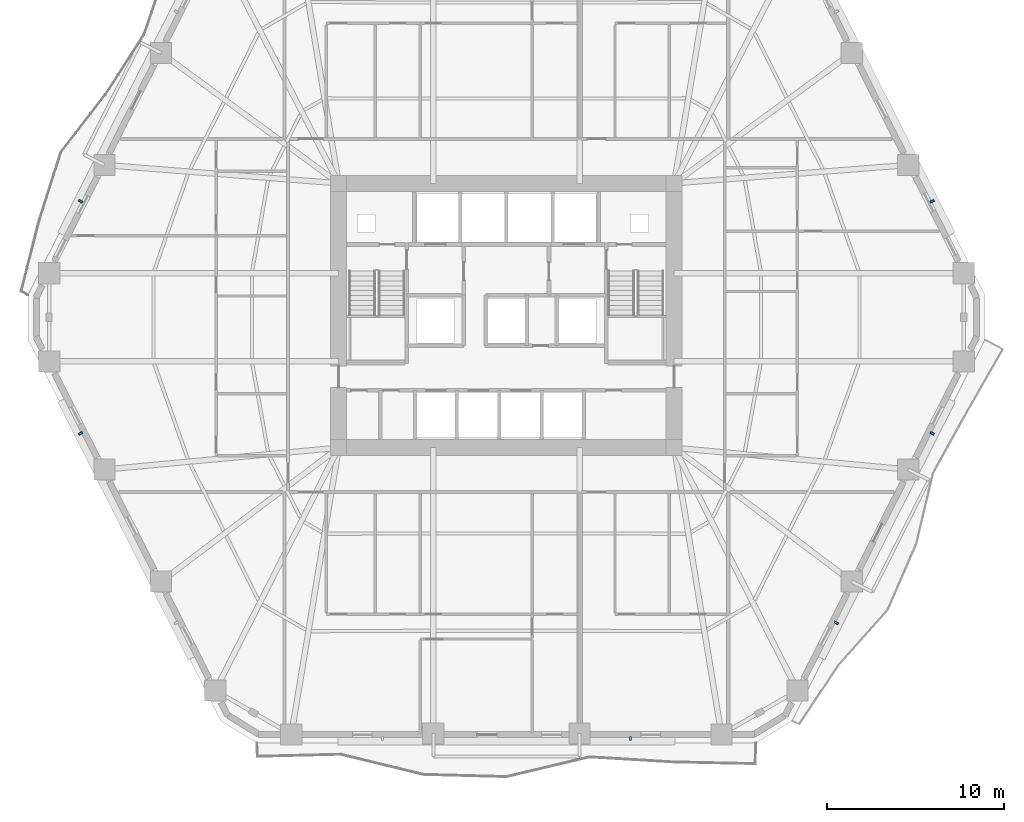
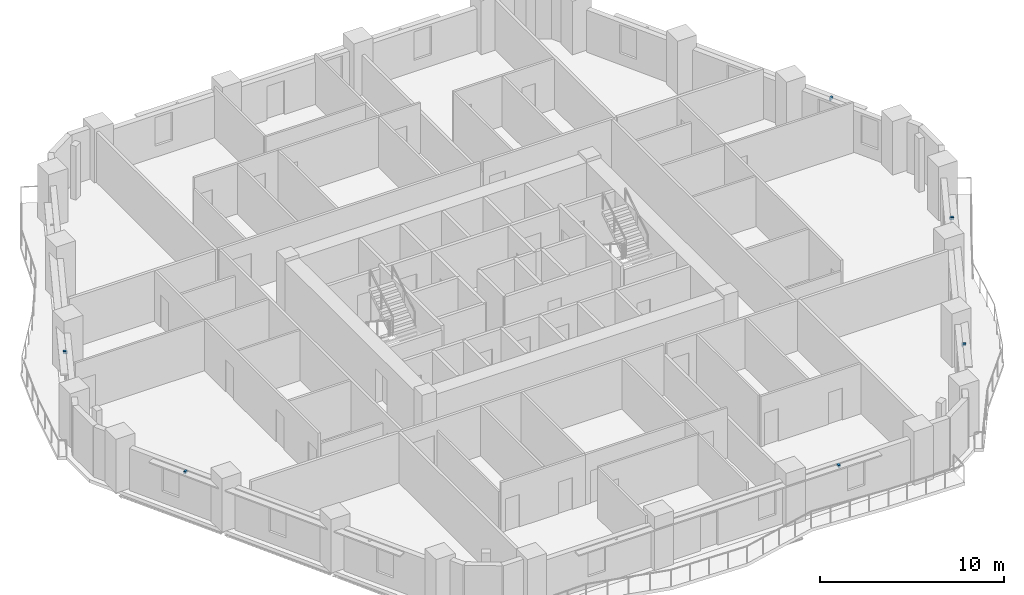
# One storey, part 9 of 14: 6 discrete accessories.
"""IFC4 building model written with IfcOpenShell, lengths in metres."""

from ifc_helpers import new_model, si_unit, direction, frame, origin, origin_2d, place, context, subcontext, project, spatial, rectangle, extrude, material, type_object, element, save


model = new_model("IFC4")

# Units and contexts
model_context = context("Model", 3, precision=1e-05, world=origin(), true_north=direction((0.0, 1.0)))
body_context = subcontext(model_context, "Body", "Model", "MODEL_VIEW")
ifc_project = project(units=[si_unit("LENGTHUNIT", "METRE"), si_unit("AREAUNIT", "SQUARE_METRE"), si_unit("VOLUMEUNIT", "CUBIC_METRE"), si_unit("PLANEANGLEUNIT", "RADIAN"), si_unit("MASSUNIT", "GRAM", prefix="KILO")], contexts=[model_context])

# Site, building, storey
site_placement = place(None, origin())
site = spatial("IfcSite", under=ifc_project, at=site_placement, CompositionType="ELEMENT")
building_placement = place(site_placement, origin())
building = spatial("IfcBuilding", under=site, at=building_placement, Name="Cinnabar Lancet Tower", CompositionType="ELEMENT")
storey_placement = place(building_placement, frame((0.0, 0.0, 53.300048828125)))
storey = spatial("IfcBuildingStorey", under=building, at=storey_placement, Name="L13", CompositionType="ELEMENT", Elevation=53.300048828125)

# Discrete accessories
ifc_material = material(Name="Stainless steel 316 facade fixing bracket", Category="steel")
discrete_accessory_type = type_object("IfcDiscreteAccessoryType", Name="ENV-ACC-BRK-180", PredefinedType="BRACKET", material=ifc_material)
for number, where, z_axis, x_axis, name in (
    (1, (39.383056640625, 2.06005859375, 2.60009765625), (0.0, 0.0, 1.0), (1.0, 0.0, 0.0), "L13 Face 1 Sunshade Bracket B"),
    (2, (50.993896484375, 8.5791015625, 2.60009765625), (0.0, 0.0, 1.0), (0.451500573218, 0.892270829056, 0.0), "L13 Face 2 Sunshade Bracket A"),
    (3, (56.39892578125, 19.260009765625, 2.60009765625), (0.0, 0.0, 1.0), (0.451500573218, 0.892270829056, 0.0), "L13 Face 2 Sunshade Bracket B"),
    (4, (56.39892578125, 32.340087890625, 2.60009765625), (0.0, 0.0, 1.0), (-0.451500573218, 0.892270829056, 0.0), "L13 Face 3 Sunshade Bracket A"),
    (5, (8.40087890625, 32.340087890625, 2.60009765625), (0.0, 0.0, 1.0), (-0.451500573218, -0.892270829056, 0.0), "L13 Face 5 Sunshade Bracket B"),
    (6, (8.40087890625, 19.260009765625, 2.60009765625), (0.0, 0.0, 1.0), (0.451500573218, -0.892270829056, 0.0), "L13 Face 6 Sunshade Bracket A"),
):
    element("IfcDiscreteAccessory", number, at=place(storey_placement, frame(where, z_axis=z_axis, x_axis=x_axis)), inside=storey, type_object=discrete_accessory_type, Name=name, PredefinedType="BRACKET", context=body_context, shape_type="SweptSolid", body=[
        extrude(rectangle(XDim=0.1201171875, YDim=0.239990234375, at=origin_2d()), origin(), (0.0, 0.0, 1.0), 0.159912109375),
    ])

save(model, "model.ifc")
